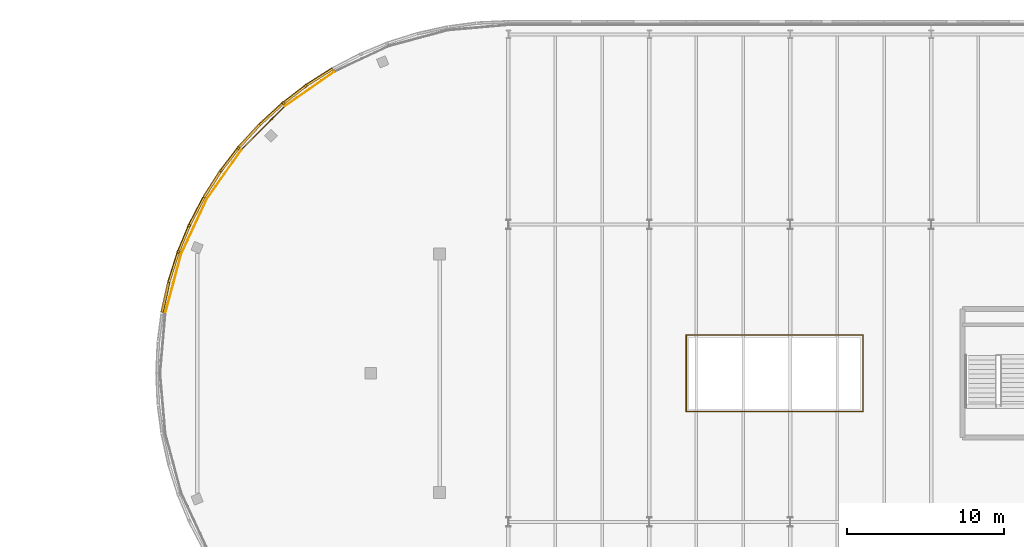
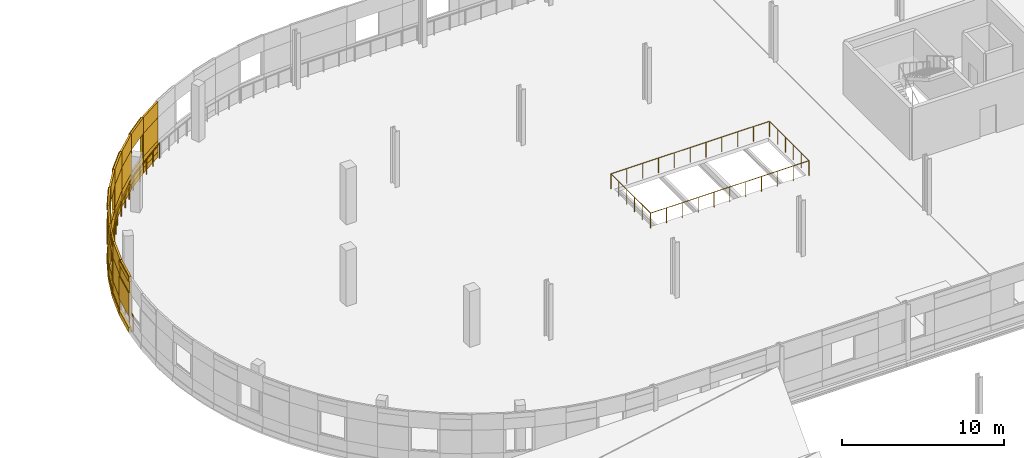
# One storey, part 93 of 103: 47 coverings, 7 railings.
"""IFC4 building model written with IfcOpenShell, lengths in metres."""

from ifc_helpers import new_model, si_unit, direction, frame, origin, origin_2d, place, context, subcontext, project, spatial, rectangle, circle, extrude, material, layer, layer_set, type_object, element, save


model = new_model("IFC4")

# Units and contexts
model_context = context("Model", 3, precision=1e-05, world=origin(), true_north=direction((0.0, 1.0)))
body_context = subcontext(model_context, "Body", "Model", "MODEL_VIEW")
ifc_project = project(units=[si_unit("LENGTHUNIT", "METRE"), si_unit("AREAUNIT", "SQUARE_METRE"), si_unit("VOLUMEUNIT", "CUBIC_METRE"), si_unit("PLANEANGLEUNIT", "RADIAN"), si_unit("MASSUNIT", "GRAM", prefix="KILO")], contexts=[model_context])

# Site, building, storey
site_placement = place(None, origin())
site = spatial("IfcSite", under=ifc_project, at=site_placement, CompositionType="ELEMENT")
building_placement = place(site_placement, origin())
building = spatial("IfcBuilding", under=site, at=building_placement, Name="Deido Ridge Mobility Hub", CompositionType="ELEMENT")
storey_placement = place(building_placement, frame((0.0, 0.0, 12.60009765625)))
storey = spatial("IfcBuildingStorey", under=building, at=storey_placement, Name="L03", CompositionType="ELEMENT", Elevation=12.60009765625)

# Coverings
ifc_material_1 = material(Name="Fired clay brick masonry", Category="masonry")
ifc_layer = layer(ifc_material_1, 0.114990234375, Name="Fired clay brick masonry")
ifc_layer_set = layer_set([ifc_layer], Name="Fired clay brick masonry")
covering_type = type_object("IfcCoveringType", Name="COV-BRK-SCREEN-115", PredefinedType="CLADDING", material=ifc_layer_set)
covering_1_placement = place(storey_placement, frame((32.950439453125, 122.4140625, 0.0), z_axis=(0.0, 0.0, 1.0), x_axis=(-0.843382068037, -0.537314328223, 0.0)))
element("IfcCovering", 1, at=covering_1_placement, inside=storey, type_object=covering_type, Name="Open brickwork spandrel course BKS1 (L03)", PredefinedType="CLADDING", context=body_context, shape_type="SweptSolid", body=[
    extrude(rectangle(XDim=1.9619140625, YDim=0.125, at=origin_2d()), origin(), (0.0, 0.0, 1.0), 1.25),
])
covering_2_placement = place(storey_placement, frame((32.935791015625, 122.437255859375, 0.0), z_axis=(0.0, 0.0, 1.0), x_axis=(-0.843382068037, -0.537314328223, 0.0)))
element("IfcCovering", 2, at=covering_2_placement, inside=storey, type_object=covering_type, Name="Raised brick relief belt BKS1 (L03)", PredefinedType="CLADDING", context=body_context, shape_type="SweptSolid", body=[
    extrude(rectangle(XDim=1.9619140625, YDim=0.179931640625, at=origin_2d()), origin(), (0.0, 0.0, 1.0), 0.39990234375),
])
covering_3_placement = place(storey_placement, frame((32.950439453125, 122.4140625, 3.0), z_axis=(0.0, 0.0, 1.0), x_axis=(-0.843382068037, -0.537314328223, 0.0)))
element("IfcCovering", 3, at=covering_3_placement, inside=storey, type_object=covering_type, Name="Open brickwork lintel course BKS1 (L03)", PredefinedType="CLADDING", context=body_context, shape_type="SweptSolid", body=[
    extrude(rectangle(XDim=1.9619140625, YDim=0.125, at=origin_2d()), origin(), (0.0, 0.0, 1.0), 1.199951171875),
])
covering_4_placement = place(storey_placement, frame((32.950439453125, 122.4140625, 1.25), z_axis=(0.0, 0.0, 1.0), x_axis=(-0.843382068037, -0.537314328223, 0.0)))
element("IfcCovering", 4, at=covering_4_placement, inside=storey, type_object=covering_type, Name="Curved raised brickwork pier BKS1 (L03)", PredefinedType="CLADDING", context=body_context, shape_type="SweptSolid", body=[
    extrude(rectangle(XDim=1.9619140625, YDim=0.125, at=origin_2d()), origin(), (0.0, 0.0, 1.0), 1.75),
])
covering_5_placement = place(storey_placement, frame((31.347900390625, 121.2919921875, 0.0), z_axis=(0.0, 0.0, 1.0), x_axis=(-0.793353340291, -0.608761429009, 0.0)))
element("IfcCovering", 5, at=covering_5_placement, inside=storey, type_object=covering_type, Name="Open brickwork spandrel course BKS1 (L03)", PredefinedType="CLADDING", context=body_context, shape_type="SweptSolid", body=[
    extrude(rectangle(XDim=1.9619140625, YDim=0.125, at=origin_2d()), origin(), (0.0, 0.0, 1.0), 1.25),
])
covering_6_placement = place(storey_placement, frame((31.3310546875, 121.313720703125, 0.0), z_axis=(0.0, 0.0, 1.0), x_axis=(-0.793353340291, -0.608761429009, 0.0)))
element("IfcCovering", 6, at=covering_6_placement, inside=storey, type_object=covering_type, Name="Raised brick relief belt BKS1 (L03)", PredefinedType="CLADDING", context=body_context, shape_type="SweptSolid", body=[
    extrude(rectangle(XDim=1.9619140625, YDim=0.179931640625, at=origin_2d()), origin(), (0.0, 0.0, 1.0), 0.39990234375),
])
covering_7_placement = place(storey_placement, frame((31.347900390625, 121.2919921875, 3.0), z_axis=(0.0, 0.0, 1.0), x_axis=(-0.793353340291, -0.608761429009, 0.0)))
element("IfcCovering", 7, at=covering_7_placement, inside=storey, type_object=covering_type, Name="Open brickwork lintel course BKS1 (L03)", PredefinedType="CLADDING", context=body_context, shape_type="SweptSolid", body=[
    extrude(rectangle(XDim=1.9619140625, YDim=0.125, at=origin_2d()), origin(), (0.0, 0.0, 1.0), 1.199951171875),
])
covering_8_placement = place(storey_placement, frame((31.3310546875, 121.313720703125, 3.83984375), z_axis=(0.0, 0.0, 1.0), x_axis=(-0.793353340291, -0.608761429009, 0.0)))
element("IfcCovering", 8, at=covering_8_placement, inside=storey, type_object=covering_type, Name="Raised brick relief cornice BKS1 (L03)", PredefinedType="CLADDING", context=body_context, shape_type="SweptSolid", body=[
    extrude(rectangle(XDim=1.9619140625, YDim=0.179931640625, at=origin_2d()), origin(), (0.0, 0.0, 1.0), 0.360107421875),
])
for number, where, z_axis, x_axis, name in (
    (9, (32.0458984375, 121.8623046875, 1.25), (0.0, 0.0, 1.0), (-0.793353340291, -0.608761429009, 0.0), "Curved brick jamb nib BKS1 (L03)"),
    (10, (30.6162109375, 120.76513671875, 1.25), (0.0, 0.0, 1.0), (-0.793353340291, -0.608761429009, 0.0), "Curved brick jamb nib BKS1 (L03)"),
):
    element("IfcCovering", number, at=place(storey_placement, frame(where, z_axis=z_axis, x_axis=x_axis)), inside=storey, type_object=covering_type, Name=name, PredefinedType="CLADDING", context=body_context, shape_type="SweptSolid", body=[
        extrude(rectangle(XDim=0.152099609375, YDim=0.179931640625, at=origin_2d()), origin(), (0.0, 0.0, 1.0), 1.75),
    ])
covering_9_placement = place(storey_placement, frame((29.84912109375, 120.0341796875, 0.0), z_axis=(0.0, 0.0, 1.0), x_axis=(-0.737289127971, -0.675577339596, 0.0)))
element("IfcCovering", 11, at=covering_9_placement, inside=storey, type_object=covering_type, Name="Open brickwork spandrel course BKS1 (L03)", PredefinedType="CLADDING", context=body_context, shape_type="SweptSolid", body=[
    extrude(rectangle(XDim=1.9619140625, YDim=0.125, at=origin_2d()), origin(), (0.0, 0.0, 1.0), 1.25),
])
covering_10_placement = place(storey_placement, frame((29.83056640625, 120.0546875, 0.0), z_axis=(0.0, 0.0, 1.0), x_axis=(-0.737289127971, -0.675577339596, 0.0)))
element("IfcCovering", 12, at=covering_10_placement, inside=storey, type_object=covering_type, Name="Raised brick relief belt BKS1 (L03)", PredefinedType="CLADDING", context=body_context, shape_type="SweptSolid", body=[
    extrude(rectangle(XDim=1.9619140625, YDim=0.179931640625, at=origin_2d()), origin(), (0.0, 0.0, 1.0), 0.39990234375),
])
covering_11_placement = place(storey_placement, frame((29.84912109375, 120.0341796875, 3.0), z_axis=(0.0, 0.0, 1.0), x_axis=(-0.737289127971, -0.675577339596, 0.0)))
element("IfcCovering", 13, at=covering_11_placement, inside=storey, type_object=covering_type, Name="Open brickwork lintel course BKS1 (L03)", PredefinedType="CLADDING", context=body_context, shape_type="SweptSolid", body=[
    extrude(rectangle(XDim=1.9619140625, YDim=0.125, at=origin_2d()), origin(), (0.0, 0.0, 1.0), 1.199951171875),
])
covering_12_placement = place(storey_placement, frame((29.84912109375, 120.0341796875, 1.25), z_axis=(0.0, 0.0, 1.0), x_axis=(-0.737289127971, -0.675577339596, 0.0)))
element("IfcCovering", 14, at=covering_12_placement, inside=storey, type_object=covering_type, Name="Curved raised brickwork pier BKS1 (L03)", PredefinedType="CLADDING", context=body_context, shape_type="SweptSolid", body=[
    extrude(rectangle(XDim=1.9619140625, YDim=0.125, at=origin_2d()), origin(), (0.0, 0.0, 1.0), 1.75),
])
covering_13_placement = place(storey_placement, frame((28.4658203125, 118.65087890625, 0.0), z_axis=(0.0, 0.0, 1.0), x_axis=(-0.675577339596, -0.737289127971, 0.0)))
element("IfcCovering", 15, at=covering_13_placement, inside=storey, type_object=covering_type, Name="Open brickwork spandrel course BKS1 (L03)", PredefinedType="CLADDING", context=body_context, shape_type="SweptSolid", body=[
    extrude(rectangle(XDim=1.9619140625, YDim=0.125, at=origin_2d()), origin(), (0.0, 0.0, 1.0), 1.25),
])
covering_14_placement = place(storey_placement, frame((28.4453125, 118.66943359375, 0.0), z_axis=(0.0, 0.0, 1.0), x_axis=(-0.675577339596, -0.737289127971, 0.0)))
element("IfcCovering", 16, at=covering_14_placement, inside=storey, type_object=covering_type, Name="Raised brick relief belt BKS1 (L03)", PredefinedType="CLADDING", context=body_context, shape_type="SweptSolid", body=[
    extrude(rectangle(XDim=1.9619140625, YDim=0.179931640625, at=origin_2d()), origin(), (0.0, 0.0, 1.0), 0.39990234375),
])
covering_15_placement = place(storey_placement, frame((28.4658203125, 118.65087890625, 3.0), z_axis=(0.0, 0.0, 1.0), x_axis=(-0.675577339596, -0.737289127971, 0.0)))
element("IfcCovering", 17, at=covering_15_placement, inside=storey, type_object=covering_type, Name="Open brickwork lintel course BKS1 (L03)", PredefinedType="CLADDING", context=body_context, shape_type="SweptSolid", body=[
    extrude(rectangle(XDim=1.9619140625, YDim=0.125, at=origin_2d()), origin(), (0.0, 0.0, 1.0), 1.199951171875),
])
covering_16_placement = place(storey_placement, frame((28.4453125, 118.66943359375, 3.83984375), z_axis=(0.0, 0.0, 1.0), x_axis=(-0.675577339596, -0.737289127971, 0.0)))
element("IfcCovering", 18, at=covering_16_placement, inside=storey, type_object=covering_type, Name="Raised brick relief cornice BKS1 (L03)", PredefinedType="CLADDING", context=body_context, shape_type="SweptSolid", body=[
    extrude(rectangle(XDim=1.9619140625, YDim=0.179931640625, at=origin_2d()), origin(), (0.0, 0.0, 1.0), 0.360107421875),
])
covering_17_placement = place(storey_placement, frame((28.4453125, 118.66943359375, 1.25), z_axis=(0.0, 0.0, 1.0), x_axis=(-0.675577339596, -0.737289127971, 0.0)))
element("IfcCovering", 19, at=covering_17_placement, inside=storey, type_object=covering_type, Name="Curved raised brickwork pier BKS1 (L03)", PredefinedType="CLADDING", context=body_context, shape_type="SweptSolid", body=[
    extrude(rectangle(XDim=1.9619140625, YDim=0.179931640625, at=origin_2d()), origin(), (0.0, 0.0, 1.0), 1.75),
])
covering_18_placement = place(storey_placement, frame((27.2080078125, 117.152099609375, 0.0), z_axis=(0.0, 0.0, 1.0), x_axis=(-0.608761429009, -0.793353340291, 0.0)))
element("IfcCovering", 20, at=covering_18_placement, inside=storey, type_object=covering_type, Name="Open brickwork spandrel course BKS1 (L03)", PredefinedType="CLADDING", context=body_context, shape_type="SweptSolid", body=[
    extrude(rectangle(XDim=1.9619140625, YDim=0.125, at=origin_2d()), origin(), (0.0, 0.0, 1.0), 1.25),
])
covering_19_placement = place(storey_placement, frame((27.186279296875, 117.1689453125, 0.0), z_axis=(0.0, 0.0, 1.0), x_axis=(-0.608761429009, -0.793353340291, 0.0)))
element("IfcCovering", 21, at=covering_19_placement, inside=storey, type_object=covering_type, Name="Raised brick relief belt BKS1 (L03)", PredefinedType="CLADDING", context=body_context, shape_type="SweptSolid", body=[
    extrude(rectangle(XDim=1.9619140625, YDim=0.179931640625, at=origin_2d()), origin(), (0.0, 0.0, 1.0), 0.39990234375),
])
covering_20_placement = place(storey_placement, frame((27.2080078125, 117.152099609375, 3.0), z_axis=(0.0, 0.0, 1.0), x_axis=(-0.608761429009, -0.793353340291, 0.0)))
element("IfcCovering", 22, at=covering_20_placement, inside=storey, type_object=covering_type, Name="Open brickwork lintel course BKS1 (L03)", PredefinedType="CLADDING", context=body_context, shape_type="SweptSolid", body=[
    extrude(rectangle(XDim=1.9619140625, YDim=0.125, at=origin_2d()), origin(), (0.0, 0.0, 1.0), 1.199951171875),
])
for number, where, z_axis, x_axis, name in (
    (23, (27.73486328125, 117.8837890625, 1.25), (0.0, 0.0, 1.0), (-0.608761429009, -0.793353340291, 0.0), "Curved brick jamb nib BKS1 (L03)"),
    (24, (26.6376953125, 116.4541015625, 1.25), (0.0, 0.0, 1.0), (-0.608761429009, -0.793353340291, 0.0), "Curved brick jamb nib BKS1 (L03)"),
):
    element("IfcCovering", number, at=place(storey_placement, frame(where, z_axis=z_axis, x_axis=x_axis)), inside=storey, type_object=covering_type, Name=name, PredefinedType="CLADDING", context=body_context, shape_type="SweptSolid", body=[
        extrude(rectangle(XDim=0.152099609375, YDim=0.179931640625, at=origin_2d()), origin(), (0.0, 0.0, 1.0), 1.75),
    ])
covering_21_placement = place(storey_placement, frame((26.0859375, 115.549560546875, 0.0), z_axis=(0.0, 0.0, 1.0), x_axis=(-0.537314328223, -0.843382068037, 0.0)))
element("IfcCovering", 25, at=covering_21_placement, inside=storey, type_object=covering_type, Name="Open brickwork spandrel course BKS1 (L03)", PredefinedType="CLADDING", context=body_context, shape_type="SweptSolid", body=[
    extrude(rectangle(XDim=1.9619140625, YDim=0.125, at=origin_2d()), origin(), (0.0, 0.0, 1.0), 1.25),
])
covering_22_placement = place(storey_placement, frame((26.062744140625, 115.564208984375, 0.0), z_axis=(0.0, 0.0, 1.0), x_axis=(-0.537314328223, -0.843382068037, 0.0)))
element("IfcCovering", 26, at=covering_22_placement, inside=storey, type_object=covering_type, Name="Raised brick relief belt BKS1 (L03)", PredefinedType="CLADDING", context=body_context, shape_type="SweptSolid", body=[
    extrude(rectangle(XDim=1.9619140625, YDim=0.179931640625, at=origin_2d()), origin(), (0.0, 0.0, 1.0), 0.39990234375),
])
covering_23_placement = place(storey_placement, frame((26.0859375, 115.549560546875, 3.0), z_axis=(0.0, 0.0, 1.0), x_axis=(-0.537314328223, -0.843382068037, 0.0)))
element("IfcCovering", 27, at=covering_23_placement, inside=storey, type_object=covering_type, Name="Open brickwork lintel course BKS1 (L03)", PredefinedType="CLADDING", context=body_context, shape_type="SweptSolid", body=[
    extrude(rectangle(XDim=1.9619140625, YDim=0.125, at=origin_2d()), origin(), (0.0, 0.0, 1.0), 1.199951171875),
])
covering_24_placement = place(storey_placement, frame((26.062744140625, 115.564208984375, 3.83984375), z_axis=(0.0, 0.0, 1.0), x_axis=(-0.537314328223, -0.843382068037, 0.0)))
element("IfcCovering", 28, at=covering_24_placement, inside=storey, type_object=covering_type, Name="Raised brick relief cornice BKS1 (L03)", PredefinedType="CLADDING", context=body_context, shape_type="SweptSolid", body=[
    extrude(rectangle(XDim=1.9619140625, YDim=0.179931640625, at=origin_2d()), origin(), (0.0, 0.0, 1.0), 0.360107421875),
])
covering_25_placement = place(storey_placement, frame((26.062744140625, 115.564208984375, 1.25), z_axis=(0.0, 0.0, 1.0), x_axis=(-0.537314328223, -0.843382068037, 0.0)))
element("IfcCovering", 29, at=covering_25_placement, inside=storey, type_object=covering_type, Name="Curved raised brickwork pier BKS1 (L03)", PredefinedType="CLADDING", context=body_context, shape_type="SweptSolid", body=[
    extrude(rectangle(XDim=1.9619140625, YDim=0.179931640625, at=origin_2d()), origin(), (0.0, 0.0, 1.0), 1.75),
])
covering_26_placement = place(storey_placement, frame((25.107666015625, 113.855224609375, 0.0), z_axis=(0.0, 0.0, 1.0), x_axis=(-0.461733131905, -0.887018892077, 0.0)))
element("IfcCovering", 30, at=covering_26_placement, inside=storey, type_object=covering_type, Name="Open brickwork spandrel course BKS1 (L03)", PredefinedType="CLADDING", context=body_context, shape_type="SweptSolid", body=[
    extrude(rectangle(XDim=1.9619140625, YDim=0.125, at=origin_2d()), origin(), (0.0, 0.0, 1.0), 1.25),
])
covering_27_placement = place(storey_placement, frame((25.083251953125, 113.867919921875, 0.0), z_axis=(0.0, 0.0, 1.0), x_axis=(-0.461733131905, -0.887018892077, 0.0)))
element("IfcCovering", 31, at=covering_27_placement, inside=storey, type_object=covering_type, Name="Raised brick relief belt BKS1 (L03)", PredefinedType="CLADDING", context=body_context, shape_type="SweptSolid", body=[
    extrude(rectangle(XDim=1.9619140625, YDim=0.179931640625, at=origin_2d()), origin(), (0.0, 0.0, 1.0), 0.39990234375),
])
covering_28_placement = place(storey_placement, frame((25.107666015625, 113.855224609375, 3.0), z_axis=(0.0, 0.0, 1.0), x_axis=(-0.461733131905, -0.887018892077, 0.0)))
element("IfcCovering", 32, at=covering_28_placement, inside=storey, type_object=covering_type, Name="Open brickwork lintel course BKS1 (L03)", PredefinedType="CLADDING", context=body_context, shape_type="SweptSolid", body=[
    extrude(rectangle(XDim=1.9619140625, YDim=0.125, at=origin_2d()), origin(), (0.0, 0.0, 1.0), 1.199951171875),
])
covering_29_placement = place(storey_placement, frame((25.107666015625, 113.855224609375, 1.25), z_axis=(0.0, 0.0, 1.0), x_axis=(-0.461733131905, -0.887018892077, 0.0)))
element("IfcCovering", 33, at=covering_29_placement, inside=storey, type_object=covering_type, Name="Curved raised brickwork pier BKS1 (L03)", PredefinedType="CLADDING", context=body_context, shape_type="SweptSolid", body=[
    extrude(rectangle(XDim=1.9619140625, YDim=0.125, at=origin_2d()), origin(), (0.0, 0.0, 1.0), 1.75),
])
covering_30_placement = place(storey_placement, frame((24.281005859375, 112.08203125, 0.0), z_axis=(0.0, 0.0, 1.0), x_axis=(-0.382699557047, -0.923872853285, 0.0)))
element("IfcCovering", 34, at=covering_30_placement, inside=storey, type_object=covering_type, Name="Open brickwork spandrel course BKS1 (L03)", PredefinedType="CLADDING", context=body_context, shape_type="SweptSolid", body=[
    extrude(rectangle(XDim=1.9619140625, YDim=0.125, at=origin_2d()), origin(), (0.0, 0.0, 1.0), 1.25),
])
covering_31_placement = place(storey_placement, frame((24.255615234375, 112.0927734375, 0.0), z_axis=(0.0, 0.0, 1.0), x_axis=(-0.382699557047, -0.923872853285, 0.0)))
element("IfcCovering", 35, at=covering_31_placement, inside=storey, type_object=covering_type, Name="Raised brick relief belt BKS1 (L03)", PredefinedType="CLADDING", context=body_context, shape_type="SweptSolid", body=[
    extrude(rectangle(XDim=1.9619140625, YDim=0.179931640625, at=origin_2d()), origin(), (0.0, 0.0, 1.0), 0.39990234375),
])
covering_32_placement = place(storey_placement, frame((24.281005859375, 112.08203125, 3.0), z_axis=(0.0, 0.0, 1.0), x_axis=(-0.382699557047, -0.923872853285, 0.0)))
element("IfcCovering", 36, at=covering_32_placement, inside=storey, type_object=covering_type, Name="Open brickwork lintel course BKS1 (L03)", PredefinedType="CLADDING", context=body_context, shape_type="SweptSolid", body=[
    extrude(rectangle(XDim=1.9619140625, YDim=0.125, at=origin_2d()), origin(), (0.0, 0.0, 1.0), 1.199951171875),
])
covering_33_placement = place(storey_placement, frame((24.255615234375, 112.0927734375, 3.83984375), z_axis=(0.0, 0.0, 1.0), x_axis=(-0.382699557047, -0.923872853285, 0.0)))
element("IfcCovering", 37, at=covering_33_placement, inside=storey, type_object=covering_type, Name="Raised brick relief cornice BKS1 (L03)", PredefinedType="CLADDING", context=body_context, shape_type="SweptSolid", body=[
    extrude(rectangle(XDim=1.9619140625, YDim=0.179931640625, at=origin_2d()), origin(), (0.0, 0.0, 1.0), 0.360107421875),
])
for number, where, z_axis, x_axis, name in (
    (38, (24.600341796875, 112.925048828125, 1.25), (0.0, 0.0, 1.0), (-0.382699557047, -0.923872853285, 0.0), "Curved brick jamb nib BKS1 (L03)"),
    (39, (23.91064453125, 111.26025390625, 1.25), (0.0, 0.0, 1.0), (-0.382699557047, -0.923872853285, 0.0), "Curved brick jamb nib BKS1 (L03)"),
):
    element("IfcCovering", number, at=place(storey_placement, frame(where, z_axis=z_axis, x_axis=x_axis)), inside=storey, type_object=covering_type, Name=name, PredefinedType="CLADDING", context=body_context, shape_type="SweptSolid", body=[
        extrude(rectangle(XDim=0.152099609375, YDim=0.179931640625, at=origin_2d()), origin(), (0.0, 0.0, 1.0), 1.75),
    ])
covering_34_placement = place(storey_placement, frame((23.61181640625, 110.24365234375, 0.0), z_axis=(0.0, 0.0, 1.0), x_axis=(-0.300672508319, -0.95372744678, 0.0)))
element("IfcCovering", 40, at=covering_34_placement, inside=storey, type_object=covering_type, Name="Open brickwork spandrel course BKS1 (L03)", PredefinedType="CLADDING", context=body_context, shape_type="SweptSolid", body=[
    extrude(rectangle(XDim=1.9619140625, YDim=0.125, at=origin_2d()), origin(), (0.0, 0.0, 1.0), 1.25),
])
covering_35_placement = place(storey_placement, frame((23.585693359375, 110.251953125, 0.0), z_axis=(0.0, 0.0, 1.0), x_axis=(-0.300672508319, -0.95372744678, 0.0)))
element("IfcCovering", 41, at=covering_35_placement, inside=storey, type_object=covering_type, Name="Raised brick relief belt BKS1 (L03)", PredefinedType="CLADDING", context=body_context, shape_type="SweptSolid", body=[
    extrude(rectangle(XDim=1.9619140625, YDim=0.179931640625, at=origin_2d()), origin(), (0.0, 0.0, 1.0), 0.39990234375),
])
covering_36_placement = place(storey_placement, frame((23.61181640625, 110.24365234375, 3.0), z_axis=(0.0, 0.0, 1.0), x_axis=(-0.300672508319, -0.95372744678, 0.0)))
element("IfcCovering", 42, at=covering_36_placement, inside=storey, type_object=covering_type, Name="Open brickwork lintel course BKS1 (L03)", PredefinedType="CLADDING", context=body_context, shape_type="SweptSolid", body=[
    extrude(rectangle(XDim=1.9619140625, YDim=0.125, at=origin_2d()), origin(), (0.0, 0.0, 1.0), 1.199951171875),
])
covering_37_placement = place(storey_placement, frame((23.61181640625, 110.24365234375, 1.25), z_axis=(0.0, 0.0, 1.0), x_axis=(-0.300672508319, -0.95372744678, 0.0)))
element("IfcCovering", 43, at=covering_37_placement, inside=storey, type_object=covering_type, Name="Curved raised brickwork pier BKS1 (L03)", PredefinedType="CLADDING", context=body_context, shape_type="SweptSolid", body=[
    extrude(rectangle(XDim=1.9619140625, YDim=0.125, at=origin_2d()), origin(), (0.0, 0.0, 1.0), 1.75),
])
covering_38_placement = place(storey_placement, frame((23.07861328125, 108.35986328125, 0.0), z_axis=(0.0, 0.0, 1.0), x_axis=(-0.216456653485, -0.976292229387, 0.0)))
element("IfcCovering", 44, at=covering_38_placement, inside=storey, type_object=covering_type, Name="Raised brick relief belt BKS1 (L03)", PredefinedType="CLADDING", context=body_context, shape_type="SweptSolid", body=[
    extrude(rectangle(XDim=1.9619140625, YDim=0.179931640625, at=origin_2d()), origin(), (0.0, 0.0, 1.0), 0.39990234375),
])
covering_39_placement = place(storey_placement, frame((23.10546875, 108.35400390625, 3.0), z_axis=(0.0, 0.0, 1.0), x_axis=(-0.216456653485, -0.976292229387, 0.0)))
element("IfcCovering", 45, at=covering_39_placement, inside=storey, type_object=covering_type, Name="Open brickwork lintel course BKS1 (L03)", PredefinedType="CLADDING", context=body_context, shape_type="SweptSolid", body=[
    extrude(rectangle(XDim=1.9619140625, YDim=0.125, at=origin_2d()), origin(), (0.0, 0.0, 1.0), 1.199951171875),
])
covering_40_placement = place(storey_placement, frame((23.07861328125, 108.35986328125, 3.83984375), z_axis=(0.0, 0.0, 1.0), x_axis=(-0.216456653485, -0.976292229387, 0.0)))
element("IfcCovering", 46, at=covering_40_placement, inside=storey, type_object=covering_type, Name="Raised brick relief cornice BKS1 (L03)", PredefinedType="CLADDING", context=body_context, shape_type="SweptSolid", body=[
    extrude(rectangle(XDim=1.9619140625, YDim=0.179931640625, at=origin_2d()), origin(), (0.0, 0.0, 1.0), 0.360107421875),
])
covering_41_placement = place(storey_placement, frame((23.07861328125, 108.35986328125, 1.25), z_axis=(0.0, 0.0, 1.0), x_axis=(-0.216456653485, -0.976292229387, 0.0)))
element("IfcCovering", 47, at=covering_41_placement, inside=storey, type_object=covering_type, Name="Curved raised brickwork pier BKS1 (L03)", PredefinedType="CLADDING", context=body_context, shape_type="SweptSolid", body=[
    extrude(rectangle(XDim=1.9619140625, YDim=0.179931640625, at=origin_2d()), origin(), (0.0, 0.0, 1.0), 1.75),
])

# Railings
ifc_material_2 = material(Name="Galvanised steel work", Category="steel")
railing_type = type_object("IfcRailingType", Name="RL-GRD-EXT-1150", PredefinedType="GUARDRAIL", material=ifc_material_2)
railing_1_placement = place(storey_placement, frame((33.84228515625, 122.74609375, 0.0)))
element("IfcRailing", 48, at=railing_1_placement, inside=storey, type_object=railing_type, Name="Parking drum perimeter guard (L03)", PredefinedType="GUARDRAIL", context=body_context, shape_type="SweptSolid", body=[
    extrude(circle(Radius=0.02392578125, at=origin_2d()), frame((0.0, 0.0, 1.1259765625), z_axis=(-0.819156425271, -0.573570179609, 0.0), x_axis=(0.573570179609, -0.819156425271, 0.0)), (0.0, 0.0, 1.0), 3.798583984375),
    extrude(circle(Radius=0.02099609375, at=origin_2d()), origin(), (0.0, 0.0, 1.0), 1.101806640625),
    extrude(circle(Radius=0.02099609375, at=origin_2d()), frame((-0.77783203125, -0.544677734375, 0.0)), (0.0, 0.0, 1.0), 1.101806640625),
    extrude(circle(Radius=0.02099609375, at=origin_2d()), frame((-1.5556640625, -1.08935546875, 0.0)), (0.0, 0.0, 1.0), 1.101806640625),
    extrude(circle(Radius=0.02099609375, at=origin_2d()), frame((-2.333740234375, -1.634033203125, 0.0)), (0.0, 0.0, 1.0), 1.101806640625),
    extrude(circle(Radius=0.02099609375, at=origin_2d()), frame((-3.111572265625, -2.1787109375, 0.0)), (0.0, 0.0, 1.0), 1.101806640625),
])
railing_2_placement = place(storey_placement, frame((30.669677734375, 120.51611328125, 0.0)))
element("IfcRailing", 49, at=railing_2_placement, inside=storey, type_object=railing_type, Name="Parking drum perimeter guard (L03)", PredefinedType="GUARDRAIL", context=body_context, shape_type="SweptSolid", body=[
    extrude(circle(Radius=0.02392578125, at=origin_2d()), frame((0.0, 0.0, 1.1259765625), z_axis=(-0.707106781187, -0.707106781187, 0.0), x_axis=(0.707106781187, -0.707106781187, 0.0)), (0.0, 0.0, 1.0), 3.79833984375),
    extrude(circle(Radius=0.02099609375, at=origin_2d()), origin(), (0.0, 0.0, 1.0), 1.101806640625),
    extrude(circle(Radius=0.02099609375, at=origin_2d()), frame((-0.67138671875, -0.67138671875, 0.0)), (0.0, 0.0, 1.0), 1.101806640625),
    extrude(circle(Radius=0.02099609375, at=origin_2d()), frame((-1.3427734375, -1.3427734375, 0.0)), (0.0, 0.0, 1.0), 1.101806640625),
    extrude(circle(Radius=0.02099609375, at=origin_2d()), frame((-2.014404296875, -2.014404296875, 0.0)), (0.0, 0.0, 1.0), 1.101806640625),
    extrude(circle(Radius=0.02099609375, at=origin_2d()), frame((-2.685791015625, -2.685791015625, 0.0)), (0.0, 0.0, 1.0), 1.101806640625),
])
railing_3_placement = place(storey_placement, frame((27.9326171875, 117.769287109375, 0.0)))
element("IfcRailing", 50, at=railing_3_placement, inside=storey, type_object=railing_type, Name="Parking drum perimeter guard (L03)", PredefinedType="GUARDRAIL", context=body_context, shape_type="SweptSolid", body=[
    extrude(circle(Radius=0.02392578125, at=origin_2d()), frame((0.0, 0.0, 1.1259765625), z_axis=(-0.573570179609, -0.819156425271, 0.0), x_axis=(0.819156425271, -0.573570179609, 0.0)), (0.0, 0.0, 1.0), 3.798583984375),
    extrude(circle(Radius=0.02099609375, at=origin_2d()), origin(), (0.0, 0.0, 1.0), 1.101806640625),
    extrude(circle(Radius=0.02099609375, at=origin_2d()), frame((-0.544677734375, -0.77783203125, 0.0)), (0.0, 0.0, 1.0), 1.101806640625),
    extrude(circle(Radius=0.02099609375, at=origin_2d()), frame((-1.08935546875, -1.5556640625, 0.0)), (0.0, 0.0, 1.0), 1.101806640625),
    extrude(circle(Radius=0.02099609375, at=origin_2d()), frame((-1.634033203125, -2.333740234375, 0.0)), (0.0, 0.0, 1.0), 1.101806640625),
    extrude(circle(Radius=0.02099609375, at=origin_2d()), frame((-2.1787109375, -3.111572265625, 0.0)), (0.0, 0.0, 1.0), 1.101806640625),
])
railing_4_placement = place(storey_placement, frame((25.714111328125, 114.588623046875, 0.0)))
element("IfcRailing", 51, at=railing_4_placement, inside=storey, type_object=railing_type, Name="Parking drum perimeter guard (L03)", PredefinedType="GUARDRAIL", context=body_context, shape_type="SweptSolid", body=[
    extrude(circle(Radius=0.02392578125, at=origin_2d()), frame((0.0, 0.0, 1.1259765625), z_axis=(-0.422674330627, -0.906281639574, 0.0), x_axis=(0.906281639574, -0.422674330627, 0.0)), (0.0, 0.0, 1.0), 3.79833984375),
    extrude(circle(Radius=0.02099609375, at=origin_2d()), origin(), (0.0, 0.0, 1.0), 1.101806640625),
    extrude(circle(Radius=0.02099609375, at=origin_2d()), frame((-0.4013671875, -0.860595703125, 0.0)), (0.0, 0.0, 1.0), 1.101806640625),
    extrude(circle(Radius=0.02099609375, at=origin_2d()), frame((-0.802734375, -1.72119140625, 0.0)), (0.0, 0.0, 1.0), 1.101806640625),
    extrude(circle(Radius=0.02099609375, at=origin_2d()), frame((-1.2041015625, -2.581787109375, 0.0)), (0.0, 0.0, 1.0), 1.101806640625),
    extrude(circle(Radius=0.02099609375, at=origin_2d()), frame((-1.60546875, -3.4423828125, 0.0)), (0.0, 0.0, 1.0), 1.101806640625),
])
railing_5_placement = place(storey_placement, frame((24.081298828125, 111.0712890625, 0.0)))
element("IfcRailing", 52, at=railing_5_placement, inside=storey, type_object=railing_type, Name="Parking drum perimeter guard (L03)", PredefinedType="GUARDRAIL", context=body_context, shape_type="SweptSolid", body=[
    extrude(circle(Radius=0.02392578125, at=origin_2d()), frame((0.0, 0.0, 1.1259765625), z_axis=(-0.258774639064, -0.965937723757, 0.0), x_axis=(0.965937723757, -0.258774639064, 0.0)), (0.0, 0.0, 1.0), 3.79833984375),
    extrude(circle(Radius=0.02099609375, at=origin_2d()), origin(), (0.0, 0.0, 1.0), 1.101806640625),
    extrude(circle(Radius=0.02099609375, at=origin_2d()), frame((-0.24560546875, -0.917236328125, 0.0)), (0.0, 0.0, 1.0), 1.101806640625),
    extrude(circle(Radius=0.02099609375, at=origin_2d()), frame((-0.491455078125, -1.83447265625, 0.0)), (0.0, 0.0, 1.0), 1.101806640625),
    extrude(circle(Radius=0.02099609375, at=origin_2d()), frame((-0.7373046875, -2.751708984375, 0.0)), (0.0, 0.0, 1.0), 1.101806640625),
    extrude(circle(Radius=0.02099609375, at=origin_2d()), frame((-0.98291015625, -3.6689453125, 0.0)), (0.0, 0.0, 1.0), 1.101806640625),
])
railing_6_placement = place(storey_placement, frame((56.35009765625, 101.050048828125, 0.0)))
element("IfcRailing", 53, at=railing_6_placement, inside=storey, type_object=railing_type, Name="Parking west lightwell guard (L03) A", PredefinedType="GUARDRAIL", context=body_context, shape_type="SweptSolid", body=[
    extrude(circle(Radius=0.02392578125, at=origin_2d()), frame((0.0, 0.0, 1.1259765625), z_axis=(1.0, 0.0, 0.0), x_axis=(0.0, 1.0, 0.0)), (0.0, 0.0, 1.0), 11.2998046875),
    extrude(circle(Radius=0.02392578125, at=origin_2d()), frame((11.2998046875, 0.0, 1.1259765625), z_axis=(0.0, 1.0, 0.0), x_axis=(-1.0, 0.0, 0.0)), (0.0, 0.0, 1.0), 4.83984375),
    extrude(circle(Radius=0.02099609375, at=origin_2d()), origin(), (0.0, 0.0, 1.0), 1.101806640625),
    extrude(circle(Radius=0.02099609375, at=origin_2d()), frame((1.1298828125, 0.0, 0.0)), (0.0, 0.0, 1.0), 1.101806640625),
    extrude(circle(Radius=0.02099609375, at=origin_2d()), frame((2.260009765625, 0.0, 0.0)), (0.0, 0.0, 1.0), 1.101806640625),
    extrude(circle(Radius=0.02099609375, at=origin_2d()), frame((3.389892578125, 0.0, 0.0)), (0.0, 0.0, 1.0), 1.101806640625),
    extrude(circle(Radius=0.02099609375, at=origin_2d()), frame((4.52001953125, 0.0, 0.0)), (0.0, 0.0, 1.0), 1.101806640625),
    extrude(circle(Radius=0.02099609375, at=origin_2d()), frame((5.64990234375, 0.0, 0.0)), (0.0, 0.0, 1.0), 1.101806640625),
    extrude(circle(Radius=0.02099609375, at=origin_2d()), frame((6.77978515625, 0.0, 0.0)), (0.0, 0.0, 1.0), 1.101806640625),
    extrude(circle(Radius=0.02099609375, at=origin_2d()), frame((7.909912109375, 0.0, 0.0)), (0.0, 0.0, 1.0), 1.101806640625),
    extrude(circle(Radius=0.02099609375, at=origin_2d()), frame((9.039794921875, 0.0, 0.0)), (0.0, 0.0, 1.0), 1.101806640625),
    extrude(circle(Radius=0.02099609375, at=origin_2d()), frame((10.169921875, 0.0, 0.0)), (0.0, 0.0, 1.0), 1.101806640625),
    extrude(circle(Radius=0.02099609375, at=origin_2d()), frame((11.2998046875, 0.0, 0.0)), (0.0, 0.0, 1.0), 1.101806640625),
    extrude(circle(Radius=0.02099609375, at=origin_2d()), frame((11.2998046875, 0.968017578125, 0.0)), (0.0, 0.0, 1.0), 1.101806640625),
    extrude(circle(Radius=0.02099609375, at=origin_2d()), frame((11.2998046875, 1.93603515625, 0.0)), (0.0, 0.0, 1.0), 1.101806640625),
    extrude(circle(Radius=0.02099609375, at=origin_2d()), frame((11.2998046875, 2.90380859375, 0.0)), (0.0, 0.0, 1.0), 1.101806640625),
    extrude(circle(Radius=0.02099609375, at=origin_2d()), frame((11.2998046875, 3.871826171875, 0.0)), (0.0, 0.0, 1.0), 1.101806640625),
    extrude(circle(Radius=0.02099609375, at=origin_2d()), frame((11.2998046875, 4.83984375, 0.0)), (0.0, 0.0, 1.0), 1.101806640625),
])
railing_7_placement = place(storey_placement, frame((67.64990234375, 105.949951171875, 0.0)))
element("IfcRailing", 54, at=railing_7_placement, inside=storey, type_object=railing_type, Name="Parking west lightwell guard (L03) B", PredefinedType="GUARDRAIL", context=body_context, shape_type="SweptSolid", body=[
    extrude(circle(Radius=0.02392578125, at=origin_2d()), frame((0.0, 0.0, 1.1259765625), z_axis=(-1.0, 0.0, 0.0), x_axis=(0.0, -1.0, 0.0)), (0.0, 0.0, 1.0), 11.2998046875),
    extrude(circle(Radius=0.02392578125, at=origin_2d()), frame((-11.2998046875, 0.0, 1.1259765625), z_axis=(0.0, -1.0, 0.0), x_axis=(1.0, 0.0, 0.0)), (0.0, 0.0, 1.0), 4.83984375),
    extrude(circle(Radius=0.02099609375, at=origin_2d()), origin(), (0.0, 0.0, 1.0), 1.101806640625),
    extrude(circle(Radius=0.02099609375, at=origin_2d()), frame((-1.1298828125, 0.0, 0.0)), (0.0, 0.0, 1.0), 1.101806640625),
    extrude(circle(Radius=0.02099609375, at=origin_2d()), frame((-2.260009765625, 0.0, 0.0)), (0.0, 0.0, 1.0), 1.101806640625),
    extrude(circle(Radius=0.02099609375, at=origin_2d()), frame((-3.389892578125, 0.0, 0.0)), (0.0, 0.0, 1.0), 1.101806640625),
    extrude(circle(Radius=0.02099609375, at=origin_2d()), frame((-4.52001953125, 0.0, 0.0)), (0.0, 0.0, 1.0), 1.101806640625),
    extrude(circle(Radius=0.02099609375, at=origin_2d()), frame((-5.64990234375, 0.0, 0.0)), (0.0, 0.0, 1.0), 1.101806640625),
    extrude(circle(Radius=0.02099609375, at=origin_2d()), frame((-6.77978515625, 0.0, 0.0)), (0.0, 0.0, 1.0), 1.101806640625),
    extrude(circle(Radius=0.02099609375, at=origin_2d()), frame((-7.909912109375, 0.0, 0.0)), (0.0, 0.0, 1.0), 1.101806640625),
    extrude(circle(Radius=0.02099609375, at=origin_2d()), frame((-9.039794921875, 0.0, 0.0)), (0.0, 0.0, 1.0), 1.101806640625),
    extrude(circle(Radius=0.02099609375, at=origin_2d()), frame((-10.169921875, 0.0, 0.0)), (0.0, 0.0, 1.0), 1.101806640625),
    extrude(circle(Radius=0.02099609375, at=origin_2d()), frame((-11.2998046875, 0.0, 0.0)), (0.0, 0.0, 1.0), 1.101806640625),
    extrude(circle(Radius=0.02099609375, at=origin_2d()), frame((-11.2998046875, -0.968017578125, 0.0)), (0.0, 0.0, 1.0), 1.101806640625),
    extrude(circle(Radius=0.02099609375, at=origin_2d()), frame((-11.2998046875, -1.93603515625, 0.0)), (0.0, 0.0, 1.0), 1.101806640625),
    extrude(circle(Radius=0.02099609375, at=origin_2d()), frame((-11.2998046875, -2.90380859375, 0.0)), (0.0, 0.0, 1.0), 1.101806640625),
    extrude(circle(Radius=0.02099609375, at=origin_2d()), frame((-11.2998046875, -3.871826171875, 0.0)), (0.0, 0.0, 1.0), 1.101806640625),
    extrude(circle(Radius=0.02099609375, at=origin_2d()), frame((-11.2998046875, -4.83984375, 0.0)), (0.0, 0.0, 1.0), 1.101806640625),
])

save(model, "model.ifc")
